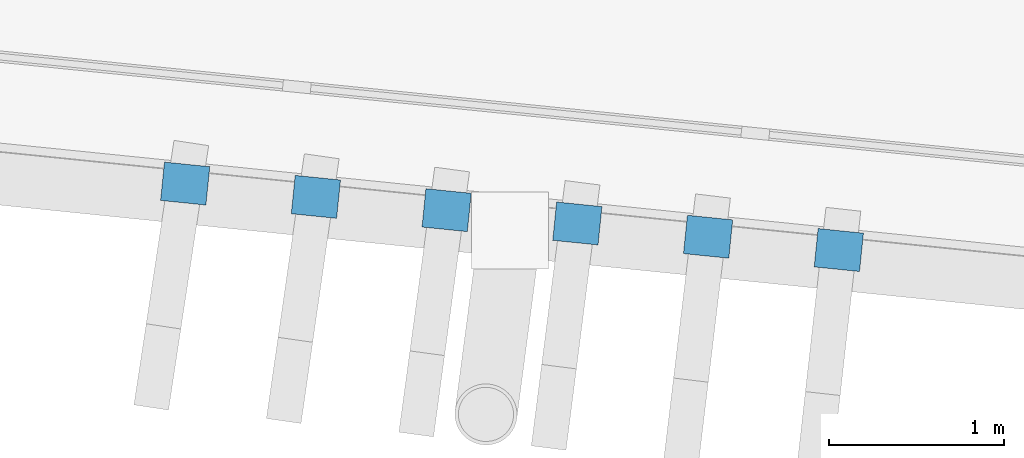
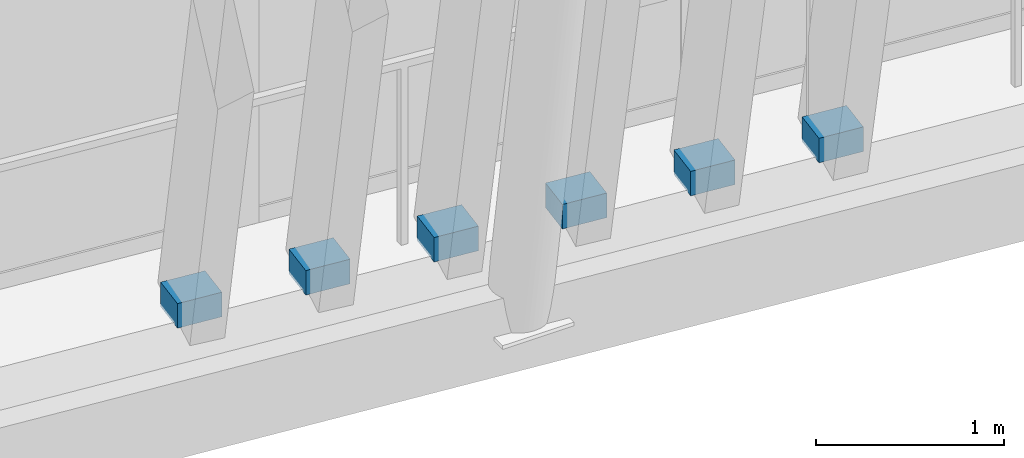
# One storey, part 133 of 168: 6 discrete accessories.
"""IFC4 building model written with IfcOpenShell, lengths in metres."""

from ifc_helpers import new_model, si_unit, direction, frame, origin, origin_2d, place, context, subcontext, project, spatial, rectangle, extrude, material, type_object, element, save


model = new_model("IFC4")

# Units and contexts
model_context = context("Model", 3, precision=1e-05, world=origin(), true_north=direction((0.0, 1.0)))
body_context = subcontext(model_context, "Body", "Model", "MODEL_VIEW")
ifc_project = project(units=[si_unit("LENGTHUNIT", "METRE"), si_unit("AREAUNIT", "SQUARE_METRE"), si_unit("VOLUMEUNIT", "CUBIC_METRE"), si_unit("PLANEANGLEUNIT", "RADIAN"), si_unit("MASSUNIT", "GRAM", prefix="KILO")], contexts=[model_context])

# Site, building, storey
site_placement = place(None, origin())
site = spatial("IfcSite", under=ifc_project, at=site_placement, CompositionType="ELEMENT")
building_placement = place(site_placement, origin())
building = spatial("IfcBuilding", under=site, at=building_placement, Name="Zlatoyarsky Gate Stadium", CompositionType="ELEMENT")
storey_placement = place(building_placement, frame((0.0, 0.0, 15.60009765625)))
storey = spatial("IfcBuildingStorey", under=building, at=storey_placement, Name="L03", CompositionType="ELEMENT", Elevation=15.60009765625)

# Discrete accessories
ifc_material = material(Name="Steel S355", Category="steel")
discrete_accessory_type = type_object("IfcDiscreteAccessoryType", Name="STEEL LOUVRE ANCHOR BRACKET 260X220X160", PredefinedType="BRACKET", material=ifc_material)
for number, where, z_axis, x_axis, name in (
    (1, (96.630859375, 6.8388671875, -0.02001953125), (0.0, 0.0, 1.0), (0.994870662806, -0.101155149583, 0.0), "Louvre anchor bracket L03-17-1"),
    (2, (97.376953125, 6.762939453125, -0.02001953125), (0.0, 0.0, 1.0), (0.994870662806, -0.101155149583, 0.0), "Louvre anchor bracket L03-17-2"),
    (3, (98.123046875, 6.68701171875, -0.02001953125), (0.0, 0.0, 1.0), (0.994870662806, -0.101155149583, 0.0), "Louvre anchor bracket L03-17-3"),
    (4, (98.869140625, 6.611083984375, -0.02001953125), (0.0, 0.0, 1.0), (0.994870662806, -0.101155149583, 0.0), "Louvre anchor bracket L03-17-4"),
    (5, (99.615478515625, 6.535400390625, -0.02001953125), (0.0, 0.0, 1.0), (0.994870662806, -0.101155149583, 0.0), "Louvre anchor bracket L03-17-5"),
    (6, (100.361572265625, 6.45947265625, -0.02001953125), (0.0, 0.0, 1.0), (0.994870662806, -0.101155149583, 0.0), "Louvre anchor bracket L03-17-6"),
):
    element("IfcDiscreteAccessory", number, at=place(storey_placement, frame(where, z_axis=z_axis, x_axis=x_axis)), inside=storey, type_object=discrete_accessory_type, Name=name, PredefinedType="BRACKET", context=body_context, shape_type="SweptSolid", body=[
        extrude(rectangle(XDim=0.260009765625, YDim=0.219970703125, at=origin_2d()), origin(), (0.0, 0.0, 1.0), 0.159912109375),
    ])

save(model, "model.ifc")
